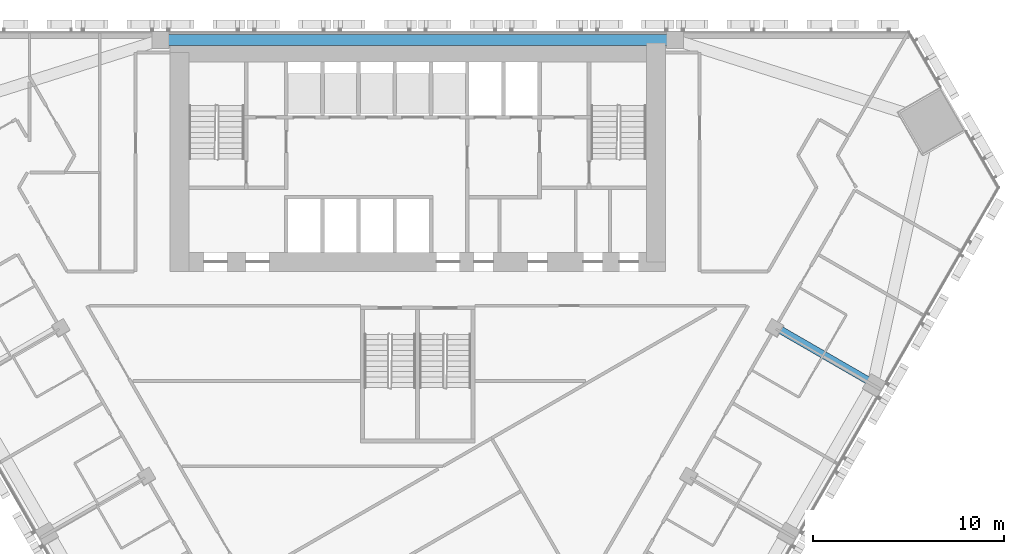
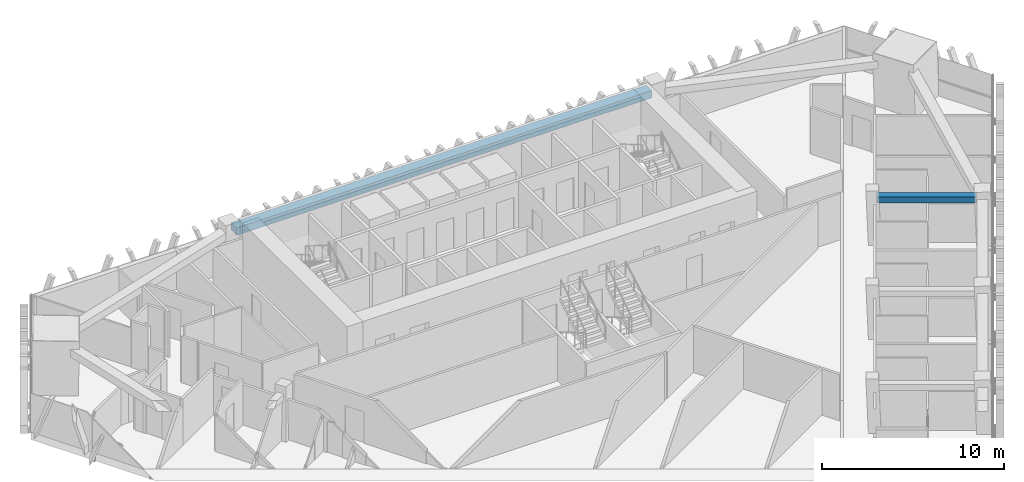
# One storey, part 6 of 17: 2 beams.
"""IFC4 building model written with IfcOpenShell, lengths in metres."""

from ifc_helpers import new_model, si_unit, direction, frame, origin, origin_2d, place, context, subcontext, project, spatial, rectangle, extrude, material, material_profile, profile_set, type_object, element, save


model = new_model("IFC4")

# Units and contexts
model_context = context("Model", 3, precision=1e-05, world=origin(), true_north=direction((0.0, 1.0)))
body_context = subcontext(model_context, "Body", "Model", "MODEL_VIEW")
ifc_project = project(units=[si_unit("LENGTHUNIT", "METRE"), si_unit("AREAUNIT", "SQUARE_METRE"), si_unit("VOLUMEUNIT", "CUBIC_METRE"), si_unit("PLANEANGLEUNIT", "RADIAN"), si_unit("MASSUNIT", "GRAM", prefix="KILO")], contexts=[model_context])

# Site, building, storey
site_placement = place(None, origin())
site = spatial("IfcSite", under=ifc_project, at=site_placement, CompositionType="ELEMENT")
building_placement = place(site_placement, origin())
building = spatial("IfcBuilding", under=site, at=building_placement, Name="Altiplano Prism Tower", CompositionType="ELEMENT")
storey_placement = place(building_placement, frame((0.0, 0.0, 52.199951171875)))
storey = spatial("IfcBuildingStorey", under=building, at=storey_placement, Name="L12", CompositionType="ELEMENT", Elevation=52.199951171875)

# Beams
ifc_material = material(Name="Concrete C60/75", Category="concrete")
ifc_material_profile_1 = material_profile(ifc_material, rectangle(XDim=0.60009765625, YDim=0.5, at=origin_2d()), Name="Edge beam 600x500")
ifc_profile_set_1 = profile_set([ifc_material_profile_1], Name="Concrete C60/75")
beam_type_1 = type_object("IfcBeamType", Name="Edge beam 600x500", PredefinedType="SPANDREL", material=ifc_profile_set_1)
beam_1_placement = place(storey_placement, frame((98.169921875, 104.550048828125, 2.85009765625), z_axis=(-1.0, 0.0, 0.0), x_axis=(0.0, -1.0, 0.0)))
element("IfcBeam", 1, at=beam_1_placement, inside=storey, type_object=beam_type_1, Name="Edge beam P01-P04 L13", PredefinedType="SPANDREL", context=body_context, shape_type="SweptSolid", body=[
    extrude(rectangle(XDim=0.60009765625, YDim=0.5, at=origin_2d()), origin(), (0.0, 0.0, 1.0), 26.33984375),
])
ifc_material_profile_2 = material_profile(ifc_material, rectangle(XDim=0.39990234375, YDim=0.39990234375, at=origin_2d()), Name="Tie beam 400x400")
ifc_profile_set_2 = profile_set([ifc_material_profile_2], Name="Concrete C60/75")
beam_type_2 = type_object("IfcBeamType", Name="Tie beam 400x400", PredefinedType="BEAM", material=ifc_profile_set_2)
beam_2_placement = place(storey_placement, frame((103.86669921875, 89.434814453125, 2.900146484375), z_axis=(0.866012292785, -0.50002270823, 0.0), x_axis=(0.50002270823, 0.866012292785, 0.0)))
element("IfcBeam", 2, at=beam_2_placement, inside=storey, type_object=beam_type_2, Name="Tie beam I24 L13", PredefinedType="BEAM", context=body_context, shape_type="SweptSolid", body=[
    extrude(rectangle(XDim=0.39990234375, YDim=0.39990234375, at=origin_2d()), origin(), (0.0, 0.0, 1.0), 5.489990234375),
])

save(model, "model.ifc")
